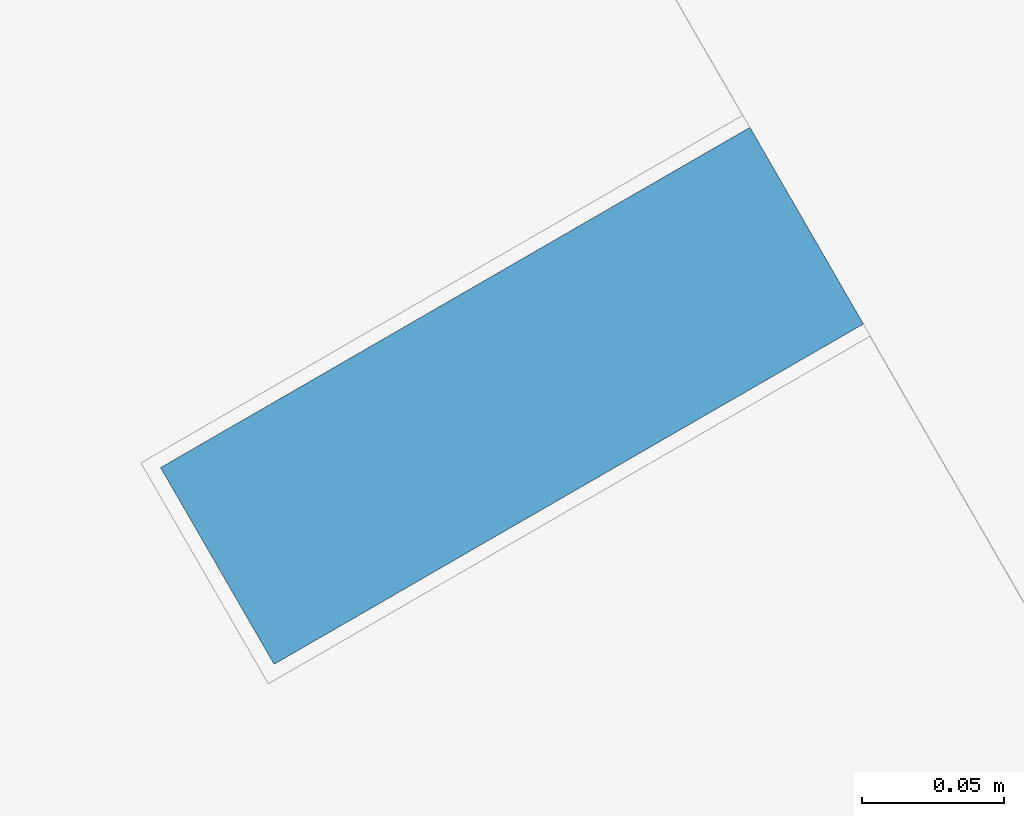
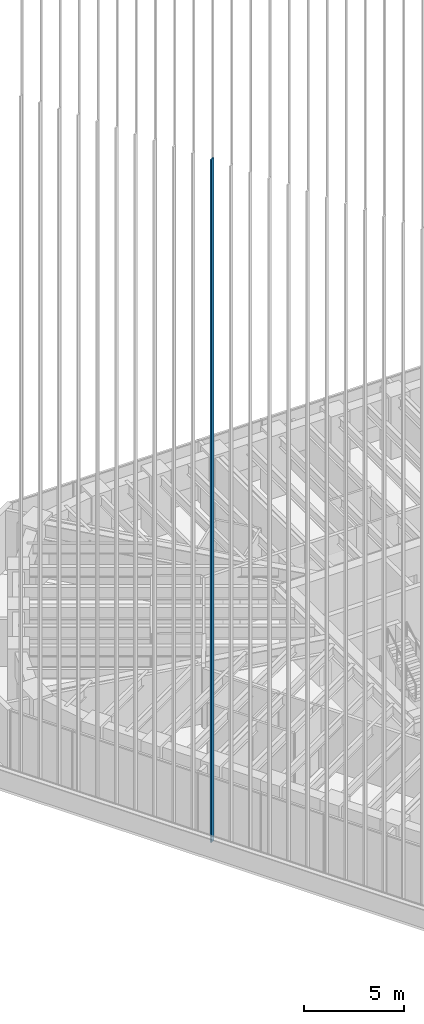
# One storey, part 19 of 127: 1 member, 1 element without a shape of its own.
"""IFC4 building model written with IfcOpenShell, lengths in metres."""

import ifcopenshell
import ifcopenshell.guid

model = None  # the IFC model being written
_history = None  # IfcOwnerHistory: only IFC2X3 demands one
_inside = {}  # id of a spatial element -> (the spatial element, [elements in it])
_under = {}  # id of a project, library or spatial element -> (it, [spatial elements below it])
_declared = {}  # id of a project -> (the project, [libraries it declares])
_typed = {}  # id of a type object -> (the type object, [elements of that type])
_made_of = {}  # id of a material, layer set ... -> (it, [elements and type objects made of it])


def new_model(schema):
    """Start an empty IFC model of exactly this schema.

    Asked for "IFC4X3", IfcOpenShell would pick the latest addendum, in which some entities
    have other attributes; the version numbers below select the first issue.
    IFC2X3 requires an IfcOwnerHistory on every rooted entity: one is made here for all.
    """
    global model, _history
    if schema == "IFC4X3":
        model = ifcopenshell.file(schema_version=(4, 3, 0, 0))
    else:
        model = ifcopenshell.file(schema=schema)
    _inside.clear()
    _under.clear()
    _declared.clear()
    _typed.clear()
    _made_of.clear()
    _history = None
    if model.schema == "IFC2X3":
        org = make("IfcOrganization", Name="unknown")
        user = make(
            "IfcPersonAndOrganization",
            ThePerson=make("IfcPerson", FamilyName="unknown"),
            TheOrganization=org,
        )
        app = make(
            "IfcApplication",
            ApplicationDeveloper=org,
            Version="unknown",
            ApplicationFullName="unknown",
            ApplicationIdentifier="unknown",
        )
        _history = make(
            "IfcOwnerHistory",
            OwningUser=user,
            OwningApplication=app,
            ChangeAction="ADDED",
            CreationDate=0,
        )
    return model


def make(cls, **values):
    """One entity of the class cls with the attributes given. An attribute that is None is left unset."""
    return model.create_entity(
        cls, **{name: value for name, value in values.items() if value is not None}
    )


def rooted(cls, **values):
    """An entity with a GlobalId (a new one), such as an element, a storey or a relation."""
    return make(cls, GlobalId=ifcopenshell.guid.new(), OwnerHistory=_history, **values)


def si_unit(unit_type, name, prefix=None):
    """IfcSIUnit, for example si_unit("LENGTHUNIT", "METRE", prefix="MILLI")."""
    return make("IfcSIUnit", UnitType=unit_type, Prefix=prefix, Name=name)


def assignment(units):
    """IfcUnitAssignment: the units of a project."""
    return None if units is None else make("IfcUnitAssignment", Units=units)


def point(xyz):
    """IfcCartesianPoint."""
    return None if xyz is None else make("IfcCartesianPoint", Coordinates=xyz)


def direction(xyz):
    """IfcDirection."""
    return None if xyz is None else make("IfcDirection", DirectionRatios=xyz)


def frame(location, z_axis=None, x_axis=None):
    """IfcAxis2Placement3D, a coordinate frame: its origin and axes. An axis left out is left unset."""
    return make(
        "IfcAxis2Placement3D",
        Location=point(location),
        Axis=direction(z_axis),
        RefDirection=direction(x_axis),
    )


def frame_2d(location, x_axis=None):
    """IfcAxis2Placement2D, a coordinate frame in the plane: its origin and x axis."""
    return make(
        "IfcAxis2Placement2D", Location=point(location), RefDirection=direction(x_axis)
    )


def origin():
    """The frame at (0, 0, 0) with its axes left unset."""
    return frame((0.0, 0.0, 0.0))


def origin_2d():
    """The frame at (0, 0) in the plane with its x axis left unset."""
    return frame_2d((0.0, 0.0))


def place(relative_to, where):
    """IfcLocalPlacement: puts the frame where relative to a parent placement (None: the world)."""
    return make(
        "IfcLocalPlacement", PlacementRelTo=relative_to, RelativePlacement=where
    )


def context(
    kind, dimensions, precision=None, world=None, true_north=None, identifier=None
):
    """IfcGeometricRepresentationContext, for example the 3D "Model" context."""
    return make(
        "IfcGeometricRepresentationContext",
        ContextIdentifier=identifier,
        ContextType=kind,
        CoordinateSpaceDimension=dimensions,
        Precision=precision,
        WorldCoordinateSystem=world,
        TrueNorth=true_north,
    )


def subcontext(parent, identifier, kind, view, scale=None):
    """IfcGeometricRepresentationSubContext, for example "Body" below "Model"."""
    return make(
        "IfcGeometricRepresentationSubContext",
        ContextIdentifier=identifier,
        ContextType=kind,
        ParentContext=parent,
        TargetScale=scale,
        TargetView=view,
    )


def project(units=None, contexts=None):
    """IfcProject with its units and contexts."""
    return rooted(
        "IfcProject",
        Name="project",
        RepresentationContexts=contexts,
        UnitsInContext=assignment(units),
    )


def spatial(cls, under=None, at=None, **own):
    """A site, building, storey or space (cls), placed at a placement, below another one or the project."""
    s = rooted(cls, ObjectPlacement=at, **own)
    if under is not None:
        _under.setdefault(under.id(), (under, []))[1].append(s)
    return s


def profile(cls, at=None, kind="AREA", **sizes):
    """A parametric profile (cls). Its sizes go by their IFC names, for example OverallWidth=200.0."""
    return make(cls, ProfileType=kind, Position=at, **sizes)


def rectangle(**sizes):
    """IfcRectangleProfileDef."""
    return profile("IfcRectangleProfileDef", **sizes)


def extrude(swept, where, along, depth):
    """IfcExtrudedAreaSolid: the profile swept, set in the frame where, extruded along a direction by depth."""
    return make(
        "IfcExtrudedAreaSolid",
        SweptArea=swept,
        Position=where,
        ExtrudedDirection=direction(along),
        Depth=depth,
    )


def shape(context_of_items, identifier, shape_type, items):
    """IfcShapeRepresentation: the items that make up one representation, for example the "Body"."""
    return make(
        "IfcShapeRepresentation",
        ContextOfItems=context_of_items,
        RepresentationIdentifier=identifier,
        RepresentationType=shape_type,
        Items=items,
    )


def material(Name=None, Category=None):
    """IfcMaterial."""
    return make("IfcMaterial", Name=Name, Category=Category)


def material_profile(
    of_material, cross_section, Name=None, Category=None, Priority=None
):
    """IfcMaterialProfile: a cross section and its material."""
    return make(
        "IfcMaterialProfile",
        Name=Name,
        Material=of_material,
        Profile=cross_section,
        Priority=Priority,
        Category=Category,
    )


def profile_set(profiles, Name=None, composite=None):
    """IfcMaterialProfileSet."""
    return make(
        "IfcMaterialProfileSet",
        Name=Name,
        MaterialProfiles=profiles,
        CompositeProfile=composite,
    )


def made_of(thing, what):
    """Note that an element or type object is made of a material, layer set ...; save() writes the relation."""
    if what is not None:
        _made_of.setdefault(what.id(), (what, []))[1].append(thing)
    return thing


def type_object(cls, material=None, **own):
    """A type object (cls), such as IfcWallType, which elements share."""
    return made_of(rooted(cls, **own), material)


def element(
    cls,
    number,
    at=None,
    inside=None,
    cuts=None,
    type_object=None,
    material=None,
    context=None,
    identifier="Body",
    shape_type=None,
    held_by="IfcProductDefinitionShape",
    body=None,
    shapes=None,
    **own,
):
    """One element of the class cls, such as IfcWall. Its Tag is "e" and its number.

    at: its placement. inside: the storey or other place that contains it. cuts: it is an
    opening in that element (IfcRelVoidsElement). A single representation is given by context,
    identifier, shape_type and body (its items); several are given by shapes. held_by: the class
    of the entity that holds the representations. save() writes the other relations.
    """
    e = rooted(cls, Tag="e%d" % number, ObjectPlacement=at, **own)
    if body is not None:
        shapes = [shape(context, identifier, shape_type, body)]
    if shapes is not None:
        e.Representation = make(held_by, Representations=shapes)
    if inside is not None:
        _inside.setdefault(inside.id(), (inside, []))[1].append(e)
    if cuts is not None:
        rooted(
            "IfcRelVoidsElement", RelatingBuildingElement=cuts, RelatedOpeningElement=e
        )
    if type_object is not None:
        _typed.setdefault(type_object.id(), (type_object, []))[1].append(e)
    return made_of(e, material)


def aggregate(whole, parts):
    """IfcRelAggregates: a whole, such as a stair, and the parts it consists of."""
    return rooted("IfcRelAggregates", RelatingObject=whole, RelatedObjects=parts)


def save(model, path):
    """Write the relations noted so far, then the file.

    IfcRelAggregates (storeys below a building ...), IfcRelContainedInSpatialStructure (elements
    in a storey), IfcRelDefinesByType, IfcRelAssociatesMaterial and IfcRelDeclares: one each for
    every whole, place, type object, material and project.
    """
    for whole, parts in _under.values():
        aggregate(whole, parts)
    for where, things in _inside.values():
        rooted(
            "IfcRelContainedInSpatialStructure",
            RelatedElements=things,
            RelatingStructure=where,
        )
    for kind, things in _typed.values():
        rooted("IfcRelDefinesByType", RelatedObjects=things, RelatingType=kind)
    for what, things in _made_of.values():
        rooted("IfcRelAssociatesMaterial", RelatedObjects=things, RelatingMaterial=what)
    for by, libraries in _declared.values():
        rooted("IfcRelDeclares", RelatingContext=by, RelatedDefinitions=libraries)
    model.write(path)


model = new_model("IFC4")

# Units and contexts
model_context = context("Model", 3, precision=1e-05, world=origin(), true_north=direction((0.0, 1.0)))
body_context = subcontext(model_context, "Body", "Model", "MODEL_VIEW")
ifc_project = project(units=[si_unit("LENGTHUNIT", "METRE"), si_unit("AREAUNIT", "SQUARE_METRE"), si_unit("VOLUMEUNIT", "CUBIC_METRE"), si_unit("PLANEANGLEUNIT", "RADIAN"), si_unit("MASSUNIT", "GRAM", prefix="KILO")], contexts=[model_context])

# Site, building, storey
site_placement = place(None, origin())
site = spatial("IfcSite", under=ifc_project, at=site_placement, CompositionType="ELEMENT")
building_placement = place(site_placement, origin())
building = spatial("IfcBuilding", under=site, at=building_placement, Name="Sandreach Pilgrim Tower", CompositionType="ELEMENT")
storey_placement = place(building_placement, frame((0.0, 0.0, 257.0)))
storey = spatial("IfcBuildingStorey", under=building, at=storey_placement, Name="L64", CompositionType="ELEMENT", Elevation=257.0)

# Curtain wall, member
ifc_material_1 = material(Name="Aluminium framed curtain wall", Category="aluminium")
curtain_wall_type = type_object("IfcCurtainWallType", Name="Suite tower curtain wall", PredefinedType="NOTDEFINED", material=ifc_material_1)
curtain_wall_placement = place(storey_placement, origin())
curtain_wall = element("IfcCurtainWall", 1, at=curtain_wall_placement, inside=storey, type_object=curtain_wall_type, Name="CW-4 L64 SW", PredefinedType="NOTDEFINED")
ifc_material_2 = material(Name="Extruded terracotta on aluminium core", Category="masonry")
ifc_material_profile = material_profile(ifc_material_2, rectangle(XDim=0.080078125, YDim=0.239990234375, at=origin_2d()), Name="TBW 80X240")
ifc_profile_set = profile_set([ifc_material_profile], Name="Extruded terracotta on aluminium core")
member_type = type_object("IfcMemberType", Name="Terracotta baguette west", PredefinedType="USERDEFINED", material=ifc_profile_set)
member_placement = place(storey_placement, frame((-19.7392578125, -6.30322265625, 0.0), z_axis=(0.0, 0.0, 1.0), x_axis=(-0.5, 0.866025403784, 0.0)))
member = element("IfcMember", 2, at=member_placement, type_object=member_type, Name="Baguette Z4 SW19", ObjectType="BAGUETTE", PredefinedType="USERDEFINED", context=body_context, shape_type="SweptSolid", body=[
    extrude(rectangle(XDim=0.080078125, YDim=0.239990234375, at=origin_2d()), origin(), (0.0, 0.0, 1.0), 41.639892578125),
])
aggregate(curtain_wall, [member])

save(model, "model.ifc")
